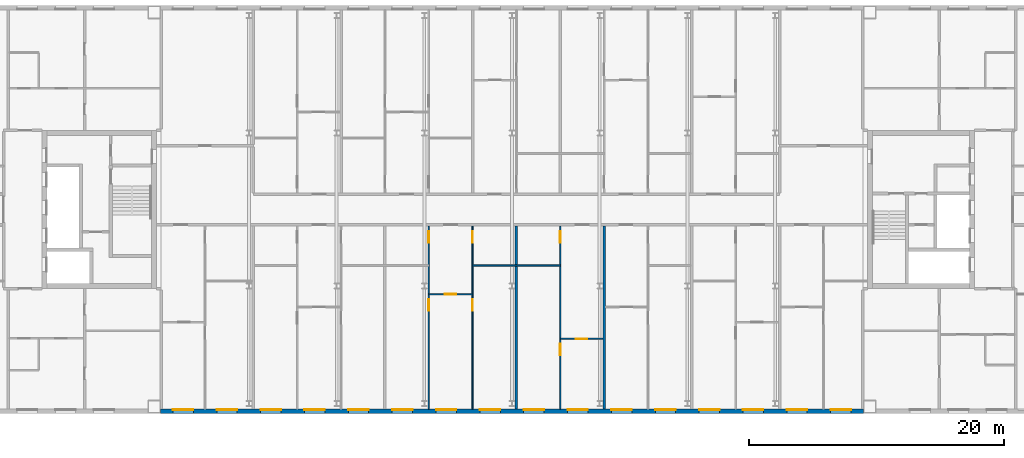
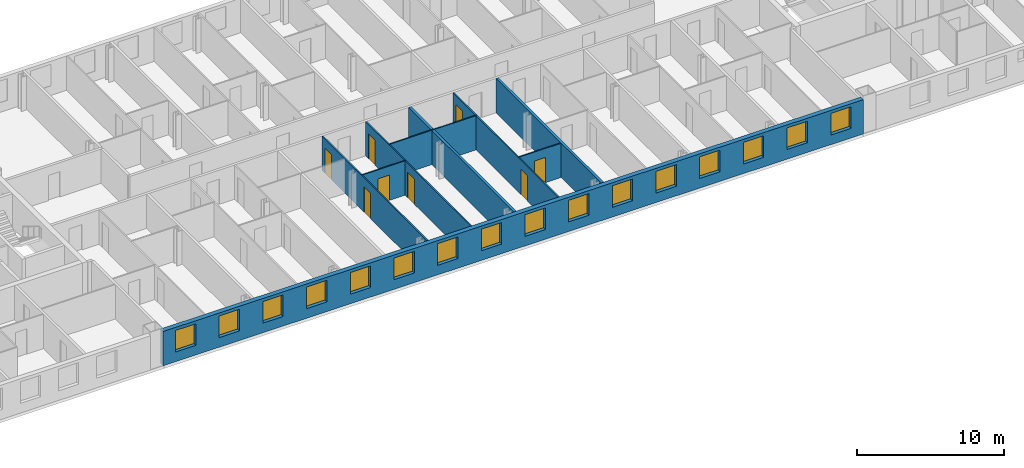
# One storey, part 10 of 19: 16 windows, 9 walls, 8 doors, 24 openings.
"""IFC4 building model written with IfcOpenShell, lengths in metres."""

from ifc_helpers import new_model, si_unit, direction, frame, frame_2d, origin, place, context, subcontext, project, spatial, rectangle, extrude, material, layer, layer_set, type_object, element, fill, save


model = new_model("IFC4")

# Units and contexts
model_context = context("Model", 3, precision=1e-05, world=origin(), true_north=direction((0.0, 1.0)))
body_context = subcontext(model_context, "Body", "Model", "MODEL_VIEW")
ifc_project = project(units=[si_unit("LENGTHUNIT", "METRE"), si_unit("AREAUNIT", "SQUARE_METRE"), si_unit("VOLUMEUNIT", "CUBIC_METRE"), si_unit("PLANEANGLEUNIT", "RADIAN"), si_unit("MASSUNIT", "GRAM", prefix="KILO")], contexts=[model_context])

# Site, building, storey
site_placement = place(None, origin())
site = spatial("IfcSite", under=ifc_project, at=site_placement, CompositionType="ELEMENT")
building_placement = place(site_placement, origin())
building = spatial("IfcBuilding", under=site, at=building_placement, Name="Tuart Gate Housing", CompositionType="ELEMENT")
storey_placement = place(building_placement, frame((0.0, 0.0, 224.5)))
storey = spatial("IfcBuildingStorey", under=building, at=storey_placement, Name="L63", CompositionType="ELEMENT", Elevation=224.5)

# Wall, openings, windows
ifc_material_1 = material(Name="Brick", Category="masonry")
ifc_layer_1 = layer(ifc_material_1, 0.360107421875)
ifc_layer_set_1 = layer_set([ifc_layer_1], Name="Brick pier and spandrel wall 360")
wall_type_1 = type_object("IfcWallType", Name="Brick pier and spandrel wall 360", PredefinedType="STANDARD", material=ifc_layer_set_1)
wall_1_placement = place(storey_placement, frame((75.949951171875, 54.179931640625, 0.0), z_axis=(0.0, 0.0, 1.0), x_axis=(1.0, 0.0, 0.0)))
wall_1 = element("IfcWall", 1, at=wall_1_placement, inside=storey, type_object=wall_type_1, Name="External wall BLK-S L63", PredefinedType="STANDARD", context=body_context, shape_type="SweptSolid", body=[
    extrude(rectangle(XDim=55.10009765625, YDim=0.360107421875, at=frame_2d((27.550048828125, 0.0))), origin(), (0.0, 0.0, 1.0), 2.85009765625),
])
opening_1_placement = place(wall_1_placement, frame((0.96875, 0.0, 0.800048828125)))
opening_1 = element("IfcOpeningElement", 2, at=opening_1_placement, cuts=wall_1, Name="Opening W1", PredefinedType="OPENING", context=body_context, shape_type="SweptSolid", body=[
    extrude(rectangle(XDim=1.60009765625, YDim=1.800048828125, at=frame_2d((0.800048828125, 0.89990234375))), frame((0.0, 0.18994140625, 0.0), z_axis=(0.0, -1.0, 0.0), x_axis=(1.0, 0.0, 0.0)), (0.0, 0.0, 1.0), 0.380126953125),
])
opening_2_placement = place(wall_1_placement, frame((4.40625, 0.0, 0.800048828125)))
opening_2 = element("IfcOpeningElement", 3, at=opening_2_placement, cuts=wall_1, Name="Opening W1", PredefinedType="OPENING", context=body_context, shape_type="SweptSolid", body=[
    extrude(rectangle(XDim=1.60009765625, YDim=1.800048828125, at=frame_2d((0.800048828125, 0.89990234375))), frame((0.0, 0.18994140625, 0.0), z_axis=(0.0, -1.0, 0.0), x_axis=(1.0, 0.0, 0.0)), (0.0, 0.0, 1.0), 0.380126953125),
])
opening_3_placement = place(wall_1_placement, frame((7.84375, 0.0, 0.800048828125)))
opening_3 = element("IfcOpeningElement", 4, at=opening_3_placement, cuts=wall_1, Name="Opening W1", PredefinedType="OPENING", context=body_context, shape_type="SweptSolid", body=[
    extrude(rectangle(XDim=1.60009765625, YDim=1.800048828125, at=frame_2d((0.800048828125, 0.89990234375))), frame((0.0, 0.18994140625, 0.0), z_axis=(0.0, -1.0, 0.0), x_axis=(1.0, 0.0, 0.0)), (0.0, 0.0, 1.0), 0.380126953125),
])
opening_4_placement = place(wall_1_placement, frame((11.28125, 0.0, 0.800048828125)))
opening_4 = element("IfcOpeningElement", 5, at=opening_4_placement, cuts=wall_1, Name="Opening W1", PredefinedType="OPENING", context=body_context, shape_type="SweptSolid", body=[
    extrude(rectangle(XDim=1.60009765625, YDim=1.800048828125, at=frame_2d((0.800048828125, 0.89990234375))), frame((0.0, 0.18994140625, 0.0), z_axis=(0.0, -1.0, 0.0), x_axis=(1.0, 0.0, 0.0)), (0.0, 0.0, 1.0), 0.380126953125),
])
opening_5_placement = place(wall_1_placement, frame((14.71875, 0.0, 0.800048828125)))
opening_5 = element("IfcOpeningElement", 6, at=opening_5_placement, cuts=wall_1, Name="Opening W1", PredefinedType="OPENING", context=body_context, shape_type="SweptSolid", body=[
    extrude(rectangle(XDim=1.60009765625, YDim=1.800048828125, at=frame_2d((0.800048828125, 0.89990234375))), frame((0.0, 0.18994140625, 0.0), z_axis=(0.0, -1.0, 0.0), x_axis=(1.0, 0.0, 0.0)), (0.0, 0.0, 1.0), 0.380126953125),
])
opening_6_placement = place(wall_1_placement, frame((18.15625, 0.0, 0.800048828125)))
opening_6 = element("IfcOpeningElement", 7, at=opening_6_placement, cuts=wall_1, Name="Opening W1", PredefinedType="OPENING", context=body_context, shape_type="SweptSolid", body=[
    extrude(rectangle(XDim=1.60009765625, YDim=1.800048828125, at=frame_2d((0.800048828125, 0.89990234375))), frame((0.0, 0.18994140625, 0.0), z_axis=(0.0, -1.0, 0.0), x_axis=(1.0, 0.0, 0.0)), (0.0, 0.0, 1.0), 0.380126953125),
])
opening_7_placement = place(wall_1_placement, frame((21.59375, 0.0, 0.800048828125)))
opening_7 = element("IfcOpeningElement", 8, at=opening_7_placement, cuts=wall_1, Name="Opening W1", PredefinedType="OPENING", context=body_context, shape_type="SweptSolid", body=[
    extrude(rectangle(XDim=1.60009765625, YDim=1.800048828125, at=frame_2d((0.800048828125, 0.89990234375))), frame((0.0, 0.18994140625, 0.0), z_axis=(0.0, -1.0, 0.0), x_axis=(1.0, 0.0, 0.0)), (0.0, 0.0, 1.0), 0.380126953125),
])
opening_8_placement = place(wall_1_placement, frame((25.03125, 0.0, 0.800048828125)))
opening_8 = element("IfcOpeningElement", 9, at=opening_8_placement, cuts=wall_1, Name="Opening W1", PredefinedType="OPENING", context=body_context, shape_type="SweptSolid", body=[
    extrude(rectangle(XDim=1.60009765625, YDim=1.800048828125, at=frame_2d((0.800048828125, 0.89990234375))), frame((0.0, 0.18994140625, 0.0), z_axis=(0.0, -1.0, 0.0), x_axis=(1.0, 0.0, 0.0)), (0.0, 0.0, 1.0), 0.380126953125),
])
opening_9_placement = place(wall_1_placement, frame((28.46875, 0.0, 0.800048828125)))
opening_9 = element("IfcOpeningElement", 10, at=opening_9_placement, cuts=wall_1, Name="Opening W1", PredefinedType="OPENING", context=body_context, shape_type="SweptSolid", body=[
    extrude(rectangle(XDim=1.60009765625, YDim=1.800048828125, at=frame_2d((0.800048828125, 0.89990234375))), frame((0.0, 0.18994140625, 0.0), z_axis=(0.0, -1.0, 0.0), x_axis=(1.0, 0.0, 0.0)), (0.0, 0.0, 1.0), 0.380126953125),
])
opening_10_placement = place(wall_1_placement, frame((31.90625, 0.0, 0.800048828125)))
opening_10 = element("IfcOpeningElement", 11, at=opening_10_placement, cuts=wall_1, Name="Opening W1", PredefinedType="OPENING", context=body_context, shape_type="SweptSolid", body=[
    extrude(rectangle(XDim=1.60009765625, YDim=1.800048828125, at=frame_2d((0.800048828125, 0.89990234375))), frame((0.0, 0.18994140625, 0.0), z_axis=(0.0, -1.0, 0.0), x_axis=(1.0, 0.0, 0.0)), (0.0, 0.0, 1.0), 0.380126953125),
])
opening_11_placement = place(wall_1_placement, frame((35.34375, 0.0, 0.800048828125)))
opening_11 = element("IfcOpeningElement", 12, at=opening_11_placement, cuts=wall_1, Name="Opening W1", PredefinedType="OPENING", context=body_context, shape_type="SweptSolid", body=[
    extrude(rectangle(XDim=1.60009765625, YDim=1.800048828125, at=frame_2d((0.800048828125, 0.89990234375))), frame((0.0, 0.18994140625, 0.0), z_axis=(0.0, -1.0, 0.0), x_axis=(1.0, 0.0, 0.0)), (0.0, 0.0, 1.0), 0.380126953125),
])
opening_12_placement = place(wall_1_placement, frame((38.78125, 0.0, 0.800048828125)))
opening_12 = element("IfcOpeningElement", 13, at=opening_12_placement, cuts=wall_1, Name="Opening W1", PredefinedType="OPENING", context=body_context, shape_type="SweptSolid", body=[
    extrude(rectangle(XDim=1.60009765625, YDim=1.800048828125, at=frame_2d((0.800048828125, 0.89990234375))), frame((0.0, 0.18994140625, 0.0), z_axis=(0.0, -1.0, 0.0), x_axis=(1.0, 0.0, 0.0)), (0.0, 0.0, 1.0), 0.380126953125),
])
opening_13_placement = place(wall_1_placement, frame((42.21875, 0.0, 0.800048828125)))
opening_13 = element("IfcOpeningElement", 14, at=opening_13_placement, cuts=wall_1, Name="Opening W1", PredefinedType="OPENING", context=body_context, shape_type="SweptSolid", body=[
    extrude(rectangle(XDim=1.60009765625, YDim=1.800048828125, at=frame_2d((0.800048828125, 0.89990234375))), frame((0.0, 0.18994140625, 0.0), z_axis=(0.0, -1.0, 0.0), x_axis=(1.0, 0.0, 0.0)), (0.0, 0.0, 1.0), 0.380126953125),
])
opening_14_placement = place(wall_1_placement, frame((45.65625, 0.0, 0.800048828125)))
opening_14 = element("IfcOpeningElement", 15, at=opening_14_placement, cuts=wall_1, Name="Opening W1", PredefinedType="OPENING", context=body_context, shape_type="SweptSolid", body=[
    extrude(rectangle(XDim=1.60009765625, YDim=1.800048828125, at=frame_2d((0.800048828125, 0.89990234375))), frame((0.0, 0.18994140625, 0.0), z_axis=(0.0, -1.0, 0.0), x_axis=(1.0, 0.0, 0.0)), (0.0, 0.0, 1.0), 0.380126953125),
])
opening_15_placement = place(wall_1_placement, frame((49.09375, 0.0, 0.800048828125)))
opening_15 = element("IfcOpeningElement", 16, at=opening_15_placement, cuts=wall_1, Name="Opening W1", PredefinedType="OPENING", context=body_context, shape_type="SweptSolid", body=[
    extrude(rectangle(XDim=1.60009765625, YDim=1.800048828125, at=frame_2d((0.800048828125, 0.89990234375))), frame((0.0, 0.18994140625, 0.0), z_axis=(0.0, -1.0, 0.0), x_axis=(1.0, 0.0, 0.0)), (0.0, 0.0, 1.0), 0.380126953125),
])
opening_16_placement = place(wall_1_placement, frame((52.53125, 0.0, 0.800048828125)))
opening_16 = element("IfcOpeningElement", 17, at=opening_16_placement, cuts=wall_1, Name="Opening W1", PredefinedType="OPENING", context=body_context, shape_type="SweptSolid", body=[
    extrude(rectangle(XDim=1.60009765625, YDim=1.800048828125, at=frame_2d((0.800048828125, 0.89990234375))), frame((0.0, 0.18994140625, 0.0), z_axis=(0.0, -1.0, 0.0), x_axis=(1.0, 0.0, 0.0)), (0.0, 0.0, 1.0), 0.380126953125),
])
ifc_material_2 = material(Name="Aluminium frame with clear glass", Category="aluminium")
window_type = type_object("IfcWindowType", Name="Punched window 1600 x 1800", PartitioningType="SINGLE_PANEL", PredefinedType="WINDOW", material=ifc_material_2)
window_1_placement = place(opening_1_placement, origin())
window_1 = element("IfcWindow", 18, at=window_1_placement, inside=storey, type_object=window_type, Name="Window W1", OverallHeight=1.800048828125, OverallWidth=1.60009765625, PartitioningType="SINGLE_PANEL", PredefinedType="WINDOW", context=body_context, shape_type="SweptSolid", body=[
    extrude(rectangle(XDim=1.60009765625, YDim=1.800048828125, at=frame_2d((0.800048828125, 0.89990234375))), frame((0.0, 0.150146484375, 0.0), z_axis=(0.0, -1.0, 0.0), x_axis=(1.0, 0.0, 0.0)), (0.0, 0.0, 1.0), 0.06005859375),
])
fill(opening_1, window_1)
window_2_placement = place(opening_2_placement, origin())
window_2 = element("IfcWindow", 19, at=window_2_placement, inside=storey, type_object=window_type, Name="Window W1", OverallHeight=1.800048828125, OverallWidth=1.60009765625, PartitioningType="SINGLE_PANEL", PredefinedType="WINDOW", context=body_context, shape_type="SweptSolid", body=[
    extrude(rectangle(XDim=1.60009765625, YDim=1.800048828125, at=frame_2d((0.800048828125, 0.89990234375))), frame((0.0, 0.150146484375, 0.0), z_axis=(0.0, -1.0, 0.0), x_axis=(1.0, 0.0, 0.0)), (0.0, 0.0, 1.0), 0.06005859375),
])
fill(opening_2, window_2)
window_3_placement = place(opening_3_placement, origin())
window_3 = element("IfcWindow", 20, at=window_3_placement, inside=storey, type_object=window_type, Name="Window W1", OverallHeight=1.800048828125, OverallWidth=1.60009765625, PartitioningType="SINGLE_PANEL", PredefinedType="WINDOW", context=body_context, shape_type="SweptSolid", body=[
    extrude(rectangle(XDim=1.60009765625, YDim=1.800048828125, at=frame_2d((0.800048828125, 0.89990234375))), frame((0.0, 0.150146484375, 0.0), z_axis=(0.0, -1.0, 0.0), x_axis=(1.0, 0.0, 0.0)), (0.0, 0.0, 1.0), 0.06005859375),
])
fill(opening_3, window_3)
window_4_placement = place(opening_4_placement, origin())
window_4 = element("IfcWindow", 21, at=window_4_placement, inside=storey, type_object=window_type, Name="Window W1", OverallHeight=1.800048828125, OverallWidth=1.60009765625, PartitioningType="SINGLE_PANEL", PredefinedType="WINDOW", context=body_context, shape_type="SweptSolid", body=[
    extrude(rectangle(XDim=1.60009765625, YDim=1.800048828125, at=frame_2d((0.800048828125, 0.89990234375))), frame((0.0, 0.150146484375, 0.0), z_axis=(0.0, -1.0, 0.0), x_axis=(1.0, 0.0, 0.0)), (0.0, 0.0, 1.0), 0.06005859375),
])
fill(opening_4, window_4)
window_5_placement = place(opening_5_placement, origin())
window_5 = element("IfcWindow", 22, at=window_5_placement, inside=storey, type_object=window_type, Name="Window W1", OverallHeight=1.800048828125, OverallWidth=1.60009765625, PartitioningType="SINGLE_PANEL", PredefinedType="WINDOW", context=body_context, shape_type="SweptSolid", body=[
    extrude(rectangle(XDim=1.60009765625, YDim=1.800048828125, at=frame_2d((0.800048828125, 0.89990234375))), frame((0.0, 0.150146484375, 0.0), z_axis=(0.0, -1.0, 0.0), x_axis=(1.0, 0.0, 0.0)), (0.0, 0.0, 1.0), 0.06005859375),
])
fill(opening_5, window_5)
window_6_placement = place(opening_6_placement, origin())
window_6 = element("IfcWindow", 23, at=window_6_placement, inside=storey, type_object=window_type, Name="Window W1", OverallHeight=1.800048828125, OverallWidth=1.60009765625, PartitioningType="SINGLE_PANEL", PredefinedType="WINDOW", context=body_context, shape_type="SweptSolid", body=[
    extrude(rectangle(XDim=1.60009765625, YDim=1.800048828125, at=frame_2d((0.800048828125, 0.89990234375))), frame((0.0, 0.150146484375, 0.0), z_axis=(0.0, -1.0, 0.0), x_axis=(1.0, 0.0, 0.0)), (0.0, 0.0, 1.0), 0.06005859375),
])
fill(opening_6, window_6)
window_7_placement = place(opening_7_placement, origin())
window_7 = element("IfcWindow", 24, at=window_7_placement, inside=storey, type_object=window_type, Name="Window W1", OverallHeight=1.800048828125, OverallWidth=1.60009765625, PartitioningType="SINGLE_PANEL", PredefinedType="WINDOW", context=body_context, shape_type="SweptSolid", body=[
    extrude(rectangle(XDim=1.60009765625, YDim=1.800048828125, at=frame_2d((0.800048828125, 0.89990234375))), frame((0.0, 0.150146484375, 0.0), z_axis=(0.0, -1.0, 0.0), x_axis=(1.0, 0.0, 0.0)), (0.0, 0.0, 1.0), 0.06005859375),
])
fill(opening_7, window_7)
window_8_placement = place(opening_8_placement, origin())
window_8 = element("IfcWindow", 25, at=window_8_placement, inside=storey, type_object=window_type, Name="Window W1", OverallHeight=1.800048828125, OverallWidth=1.60009765625, PartitioningType="SINGLE_PANEL", PredefinedType="WINDOW", context=body_context, shape_type="SweptSolid", body=[
    extrude(rectangle(XDim=1.60009765625, YDim=1.800048828125, at=frame_2d((0.800048828125, 0.89990234375))), frame((0.0, 0.150146484375, 0.0), z_axis=(0.0, -1.0, 0.0), x_axis=(1.0, 0.0, 0.0)), (0.0, 0.0, 1.0), 0.06005859375),
])
fill(opening_8, window_8)
window_9_placement = place(opening_9_placement, origin())
window_9 = element("IfcWindow", 26, at=window_9_placement, inside=storey, type_object=window_type, Name="Window W1", OverallHeight=1.800048828125, OverallWidth=1.60009765625, PartitioningType="SINGLE_PANEL", PredefinedType="WINDOW", context=body_context, shape_type="SweptSolid", body=[
    extrude(rectangle(XDim=1.60009765625, YDim=1.800048828125, at=frame_2d((0.800048828125, 0.89990234375))), frame((0.0, 0.150146484375, 0.0), z_axis=(0.0, -1.0, 0.0), x_axis=(1.0, 0.0, 0.0)), (0.0, 0.0, 1.0), 0.06005859375),
])
fill(opening_9, window_9)
window_10_placement = place(opening_10_placement, origin())
window_10 = element("IfcWindow", 27, at=window_10_placement, inside=storey, type_object=window_type, Name="Window W1", OverallHeight=1.800048828125, OverallWidth=1.60009765625, PartitioningType="SINGLE_PANEL", PredefinedType="WINDOW", context=body_context, shape_type="SweptSolid", body=[
    extrude(rectangle(XDim=1.60009765625, YDim=1.800048828125, at=frame_2d((0.800048828125, 0.89990234375))), frame((0.0, 0.150146484375, 0.0), z_axis=(0.0, -1.0, 0.0), x_axis=(1.0, 0.0, 0.0)), (0.0, 0.0, 1.0), 0.06005859375),
])
fill(opening_10, window_10)
window_11_placement = place(opening_11_placement, origin())
window_11 = element("IfcWindow", 28, at=window_11_placement, inside=storey, type_object=window_type, Name="Window W1", OverallHeight=1.800048828125, OverallWidth=1.60009765625, PartitioningType="SINGLE_PANEL", PredefinedType="WINDOW", context=body_context, shape_type="SweptSolid", body=[
    extrude(rectangle(XDim=1.60009765625, YDim=1.800048828125, at=frame_2d((0.800048828125, 0.89990234375))), frame((0.0, 0.150146484375, 0.0), z_axis=(0.0, -1.0, 0.0), x_axis=(1.0, 0.0, 0.0)), (0.0, 0.0, 1.0), 0.06005859375),
])
fill(opening_11, window_11)
window_12_placement = place(opening_12_placement, origin())
window_12 = element("IfcWindow", 29, at=window_12_placement, inside=storey, type_object=window_type, Name="Window W1", OverallHeight=1.800048828125, OverallWidth=1.60009765625, PartitioningType="SINGLE_PANEL", PredefinedType="WINDOW", context=body_context, shape_type="SweptSolid", body=[
    extrude(rectangle(XDim=1.60009765625, YDim=1.800048828125, at=frame_2d((0.800048828125, 0.89990234375))), frame((0.0, 0.150146484375, 0.0), z_axis=(0.0, -1.0, 0.0), x_axis=(1.0, 0.0, 0.0)), (0.0, 0.0, 1.0), 0.06005859375),
])
fill(opening_12, window_12)
window_13_placement = place(opening_13_placement, origin())
window_13 = element("IfcWindow", 30, at=window_13_placement, inside=storey, type_object=window_type, Name="Window W1", OverallHeight=1.800048828125, OverallWidth=1.60009765625, PartitioningType="SINGLE_PANEL", PredefinedType="WINDOW", context=body_context, shape_type="SweptSolid", body=[
    extrude(rectangle(XDim=1.60009765625, YDim=1.800048828125, at=frame_2d((0.800048828125, 0.89990234375))), frame((0.0, 0.150146484375, 0.0), z_axis=(0.0, -1.0, 0.0), x_axis=(1.0, 0.0, 0.0)), (0.0, 0.0, 1.0), 0.06005859375),
])
fill(opening_13, window_13)
window_14_placement = place(opening_14_placement, origin())
window_14 = element("IfcWindow", 31, at=window_14_placement, inside=storey, type_object=window_type, Name="Window W1", OverallHeight=1.800048828125, OverallWidth=1.60009765625, PartitioningType="SINGLE_PANEL", PredefinedType="WINDOW", context=body_context, shape_type="SweptSolid", body=[
    extrude(rectangle(XDim=1.60009765625, YDim=1.800048828125, at=frame_2d((0.800048828125, 0.89990234375))), frame((0.0, 0.150146484375, 0.0), z_axis=(0.0, -1.0, 0.0), x_axis=(1.0, 0.0, 0.0)), (0.0, 0.0, 1.0), 0.06005859375),
])
fill(opening_14, window_14)
window_15_placement = place(opening_15_placement, origin())
window_15 = element("IfcWindow", 32, at=window_15_placement, inside=storey, type_object=window_type, Name="Window W1", OverallHeight=1.800048828125, OverallWidth=1.60009765625, PartitioningType="SINGLE_PANEL", PredefinedType="WINDOW", context=body_context, shape_type="SweptSolid", body=[
    extrude(rectangle(XDim=1.60009765625, YDim=1.800048828125, at=frame_2d((0.800048828125, 0.89990234375))), frame((0.0, 0.150146484375, 0.0), z_axis=(0.0, -1.0, 0.0), x_axis=(1.0, 0.0, 0.0)), (0.0, 0.0, 1.0), 0.06005859375),
])
fill(opening_15, window_15)
window_16_placement = place(opening_16_placement, origin())
window_16 = element("IfcWindow", 33, at=window_16_placement, inside=storey, type_object=window_type, Name="Window W1", OverallHeight=1.800048828125, OverallWidth=1.60009765625, PartitioningType="SINGLE_PANEL", PredefinedType="WINDOW", context=body_context, shape_type="SweptSolid", body=[
    extrude(rectangle(XDim=1.60009765625, YDim=1.800048828125, at=frame_2d((0.800048828125, 0.89990234375))), frame((0.0, 0.150146484375, 0.0), z_axis=(0.0, -1.0, 0.0), x_axis=(1.0, 0.0, 0.0)), (0.0, 0.0, 1.0), 0.06005859375),
])
fill(opening_16, window_16)

# Wall, opening, door
ifc_material_3 = material(Name="Gypsum board on steel studs", Category="steel")
ifc_layer_2 = layer(ifc_material_3, 0.10009765625)
ifc_layer_set_2 = layer_set([ifc_layer_2], Name="Partition 100")
wall_type_2 = type_object("IfcWallType", Name="Partition 100", PredefinedType="PARTITIONING", material=ifc_layer_set_2)
wall_2_placement = place(storey_placement, frame((107.287109375, 59.860107421875, 0.0), z_axis=(0.0, 0.0, 1.0), x_axis=(1.0, 0.0, 0.0)))
wall_2 = element("IfcWall", 34, at=wall_2_placement, inside=storey, type_object=wall_type_2, Name="Partition 100", PredefinedType="PARTITIONING", context=body_context, shape_type="SweptSolid", body=[
    extrude(rectangle(XDim=3.337890625, YDim=0.10009765625, at=frame_2d((1.6689453125, 0.0))), origin(), (0.0, 0.0, 1.0), 2.85009765625),
])
opening_17_placement = place(wall_2_placement, frame((1.218994140625, 0.0, 0.0)))
opening_17 = element("IfcOpeningElement", 35, at=opening_17_placement, cuts=wall_2, Name="Opening D2390", PredefinedType="OPENING", context=body_context, shape_type="SweptSolid", body=[
    extrude(rectangle(XDim=0.89990234375, YDim=2.10009765625, at=frame_2d((0.449951171875, 1.050048828125))), frame((0.0, 0.06005859375, 0.0), z_axis=(0.0, -1.0, 0.0), x_axis=(1.0, 0.0, 0.0)), (0.0, 0.0, 1.0), 0.1201171875),
])
ifc_material_4 = material(Name="Timber door leaf in steel frame", Category="steel")
door_type_1 = type_object("IfcDoorType", Name="Internal door 900", OperationType="SINGLE_SWING_LEFT", PredefinedType="DOOR", material=ifc_material_4)
door_1_placement = place(opening_17_placement, origin())
door_1 = element("IfcDoor", 36, at=door_1_placement, inside=storey, type_object=door_type_1, Name="Internal door", OperationType="SINGLE_SWING_LEFT", OverallHeight=2.10009765625, OverallWidth=0.89990234375, PredefinedType="DOOR", context=body_context, shape_type="SweptSolid", body=[
    extrude(rectangle(XDim=0.89990234375, YDim=2.10009765625, at=frame_2d((0.449951171875, 1.050048828125))), frame((0.0, 0.02490234375, 0.0), z_axis=(0.0, -1.0, 0.0), x_axis=(1.0, 0.0, 0.0)), (0.0, 0.0, 1.0), 0.050048828125),
])
fill(opening_17, door_1)

wall_3_placement = place(storey_placement, frame((96.97509765625, 63.360107421875, 0.0), z_axis=(0.0, 0.0, 1.0), x_axis=(1.0, 0.0, 0.0)))
wall_3 = element("IfcWall", 37, at=wall_3_placement, inside=storey, type_object=wall_type_2, Name="Partition 100", PredefinedType="PARTITIONING", context=body_context, shape_type="SweptSolid", body=[
    extrude(rectangle(XDim=3.43701171875, YDim=0.10009765625, at=frame_2d((1.718505859375, 0.0))), origin(), (0.0, 0.0, 1.0), 2.85009765625),
])
opening_18_placement = place(wall_3_placement, frame((1.2685546875, 0.0, 0.0)))
opening_18 = element("IfcOpeningElement", 38, at=opening_18_placement, cuts=wall_3, Name="Opening D2366", PredefinedType="OPENING", context=body_context, shape_type="SweptSolid", body=[
    extrude(rectangle(XDim=0.89990234375, YDim=2.10009765625, at=frame_2d((0.449951171875, 1.050048828125))), frame((0.0, 0.06005859375, 0.0), z_axis=(0.0, -1.0, 0.0), x_axis=(1.0, 0.0, 0.0)), (0.0, 0.0, 1.0), 0.1201171875),
])
door_2_placement = place(opening_18_placement, origin())
door_2 = element("IfcDoor", 39, at=door_2_placement, inside=storey, type_object=door_type_1, Name="Internal door", OperationType="SINGLE_SWING_LEFT", OverallHeight=2.10009765625, OverallWidth=0.89990234375, PredefinedType="DOOR", context=body_context, shape_type="SweptSolid", body=[
    extrude(rectangle(XDim=0.89990234375, YDim=2.10009765625, at=frame_2d((0.449951171875, 1.050048828125))), frame((0.0, 0.02490234375, 0.0), z_axis=(0.0, -1.0, 0.0), x_axis=(1.0, 0.0, 0.0)), (0.0, 0.0, 1.0), 0.050048828125),
])
fill(opening_18, door_2)

# Wall
wall_4_placement = place(storey_placement, frame((100.412109375, 65.60009765625, 0.0), z_axis=(0.0, 0.0, 1.0), x_axis=(1.0, 0.0, 0.0)))
element("IfcWall", 40, at=wall_4_placement, inside=storey, type_object=wall_type_2, Name="Partition 100", PredefinedType="PARTITIONING", context=body_context, shape_type="SweptSolid", body=[
    extrude(rectangle(XDim=6.875, YDim=0.10009765625, at=frame_2d((3.4375, 0.0))), origin(), (0.0, 0.0, 1.0), 2.85009765625),
])

# Wall, openings, doors
wall_5_placement = place(storey_placement, frame((96.97509765625, 54.360107421875, 0.0), z_axis=(0.0, 0.0, 1.0), x_axis=(0.0, 1.0, 0.0)))
wall_5 = element("IfcWall", 41, at=wall_5_placement, inside=storey, type_object=wall_type_2, Name="Partition 100", PredefinedType="PARTITIONING", context=body_context, shape_type="SweptSolid", body=[
    extrude(rectangle(XDim=14.33984375, YDim=0.10009765625, at=frame_2d((7.169921875, 0.0))), origin(), (0.0, 0.0, 1.0), 2.85009765625),
])
opening_19_placement = place(wall_5_placement, frame((7.699951171875, 0.0, 0.0)))
opening_19 = element("IfcOpeningElement", 42, at=opening_19_placement, cuts=wall_5, Name="Opening D2377", PredefinedType="OPENING", context=body_context, shape_type="SweptSolid", body=[
    extrude(rectangle(XDim=0.89990234375, YDim=2.10009765625, at=frame_2d((0.449951171875, 1.050048828125))), frame((0.0, 0.06005859375, 0.0), z_axis=(0.0, -1.0, 0.0), x_axis=(1.0, 0.0, 0.0)), (0.0, 0.0, 1.0), 0.1201171875),
])
opening_20_placement = place(wall_5_placement, frame((13.0400390625, 0.0, 0.0)))
opening_20 = element("IfcOpeningElement", 43, at=opening_20_placement, cuts=wall_5, Name="Opening D2376", PredefinedType="OPENING", context=body_context, shape_type="SweptSolid", body=[
    extrude(rectangle(XDim=0.89990234375, YDim=2.10009765625, at=frame_2d((0.449951171875, 1.050048828125))), frame((0.0, 0.06005859375, 0.0), z_axis=(0.0, -1.0, 0.0), x_axis=(1.0, 0.0, 0.0)), (0.0, 0.0, 1.0), 0.1201171875),
])
ifc_material_5 = material(Name="Timber door leaf in steel frame", Category="steel")
door_type_2 = type_object("IfcDoorType", Name="Bathroom door 900 RH", OperationType="SINGLE_SWING_RIGHT", PredefinedType="DOOR", material=ifc_material_5)
door_3_placement = place(opening_20_placement, origin())
door_3 = element("IfcDoor", 44, at=door_3_placement, inside=storey, type_object=door_type_2, Name="Bathroom door", OperationType="SINGLE_SWING_RIGHT", OverallHeight=2.10009765625, OverallWidth=0.89990234375, PredefinedType="DOOR", context=body_context, shape_type="SweptSolid", body=[
    extrude(rectangle(XDim=0.89990234375, YDim=2.10009765625, at=frame_2d((0.449951171875, 1.050048828125))), frame((0.0, 0.02490234375, 0.0), z_axis=(0.0, -1.0, 0.0), x_axis=(1.0, 0.0, 0.0)), (0.0, 0.0, 1.0), 0.050048828125),
])
fill(opening_20, door_3)
ifc_material_6 = material(Name="Timber door leaf in steel frame", Category="steel")
door_type_3 = type_object("IfcDoorType", Name="Internal door 900 RH", OperationType="SINGLE_SWING_RIGHT", PredefinedType="DOOR", material=ifc_material_6)
door_4_placement = place(opening_19_placement, origin())
door_4 = element("IfcDoor", 45, at=door_4_placement, inside=storey, type_object=door_type_3, Name="Internal door", OperationType="SINGLE_SWING_RIGHT", OverallHeight=2.10009765625, OverallWidth=0.89990234375, PredefinedType="DOOR", context=body_context, shape_type="SweptSolid", body=[
    extrude(rectangle(XDim=0.89990234375, YDim=2.10009765625, at=frame_2d((0.449951171875, 1.050048828125))), frame((0.0, 0.02490234375, 0.0), z_axis=(0.0, -1.0, 0.0), x_axis=(1.0, 0.0, 0.0)), (0.0, 0.0, 1.0), 0.050048828125),
])
fill(opening_19, door_4)

wall_6_placement = place(storey_placement, frame((100.412109375, 54.360107421875, 0.0), z_axis=(0.0, 0.0, 1.0), x_axis=(0.0, 1.0, 0.0)))
wall_6 = element("IfcWall", 46, at=wall_6_placement, inside=storey, type_object=wall_type_2, Name="Partition 100", PredefinedType="PARTITIONING", context=body_context, shape_type="SweptSolid", body=[
    extrude(rectangle(XDim=14.33984375, YDim=0.10009765625, at=frame_2d((7.169921875, 0.0))), origin(), (0.0, 0.0, 1.0), 2.85009765625),
])
opening_21_placement = place(wall_6_placement, frame((7.699951171875, 0.0, 0.0)))
opening_21 = element("IfcOpeningElement", 47, at=opening_21_placement, cuts=wall_6, Name="Opening D2379", PredefinedType="OPENING", context=body_context, shape_type="SweptSolid", body=[
    extrude(rectangle(XDim=0.89990234375, YDim=2.10009765625, at=frame_2d((0.449951171875, 1.050048828125))), frame((0.0, 0.06005859375, 0.0), z_axis=(0.0, -1.0, 0.0), x_axis=(1.0, 0.0, 0.0)), (0.0, 0.0, 1.0), 0.1201171875),
])
opening_22_placement = place(wall_6_placement, frame((13.0400390625, 0.0, 0.0)))
opening_22 = element("IfcOpeningElement", 48, at=opening_22_placement, cuts=wall_6, Name="Opening D2378", PredefinedType="OPENING", context=body_context, shape_type="SweptSolid", body=[
    extrude(rectangle(XDim=0.89990234375, YDim=2.10009765625, at=frame_2d((0.449951171875, 1.050048828125))), frame((0.0, 0.06005859375, 0.0), z_axis=(0.0, -1.0, 0.0), x_axis=(1.0, 0.0, 0.0)), (0.0, 0.0, 1.0), 0.1201171875),
])
ifc_material_7 = material(Name="Timber door leaf in steel frame", Category="steel")
door_type_4 = type_object("IfcDoorType", Name="Bathroom door 900", OperationType="SINGLE_SWING_LEFT", PredefinedType="DOOR", material=ifc_material_7)
door_5_placement = place(opening_22_placement, frame((0.89990234375, 0.0, 0.0), z_axis=(0.0, 0.0, 1.0), x_axis=(-1.0, 0.0, 0.0)))
door_5 = element("IfcDoor", 49, at=door_5_placement, inside=storey, type_object=door_type_4, Name="Bathroom door", OperationType="SINGLE_SWING_LEFT", OverallHeight=2.10009765625, OverallWidth=0.89990234375, PredefinedType="DOOR", context=body_context, shape_type="SweptSolid", body=[
    extrude(rectangle(XDim=0.89990234375, YDim=2.10009765625, at=frame_2d((0.449951171875, 1.050048828125))), frame((0.0, 0.025146484375, 0.0), z_axis=(0.0, -1.0, 0.0), x_axis=(1.0, 0.0, 0.0)), (0.0, 0.0, 1.0), 0.050048828125),
])
fill(opening_22, door_5)
door_6_placement = place(opening_21_placement, frame((0.89990234375, 0.0, 0.0), z_axis=(0.0, 0.0, 1.0), x_axis=(-1.0, 0.0, 0.0)))
door_6 = element("IfcDoor", 50, at=door_6_placement, inside=storey, type_object=door_type_1, Name="Internal door", OperationType="SINGLE_SWING_LEFT", OverallHeight=2.10009765625, OverallWidth=0.89990234375, PredefinedType="DOOR", context=body_context, shape_type="SweptSolid", body=[
    extrude(rectangle(XDim=0.89990234375, YDim=2.10009765625, at=frame_2d((0.449951171875, 1.050048828125))), frame((0.0, 0.025146484375, 0.0), z_axis=(0.0, -1.0, 0.0), x_axis=(1.0, 0.0, 0.0)), (0.0, 0.0, 1.0), 0.050048828125),
])
fill(opening_21, door_6)

wall_7_placement = place(storey_placement, frame((107.287109375, 54.360107421875, 0.0), z_axis=(0.0, 0.0, 1.0), x_axis=(0.0, 1.0, 0.0)))
wall_7 = element("IfcWall", 51, at=wall_7_placement, inside=storey, type_object=wall_type_2, Name="Partition 100", PredefinedType="PARTITIONING", context=body_context, shape_type="SweptSolid", body=[
    extrude(rectangle(XDim=14.33984375, YDim=0.10009765625, at=frame_2d((7.169921875, 0.0))), origin(), (0.0, 0.0, 1.0), 2.85009765625),
])
opening_23_placement = place(wall_7_placement, frame((4.199951171875, 0.0, 0.0)))
opening_23 = element("IfcOpeningElement", 52, at=opening_23_placement, cuts=wall_7, Name="Opening D2381", PredefinedType="OPENING", context=body_context, shape_type="SweptSolid", body=[
    extrude(rectangle(XDim=0.89990234375, YDim=2.10009765625, at=frame_2d((0.449951171875, 1.050048828125))), frame((0.0, 0.06005859375, 0.0), z_axis=(0.0, -1.0, 0.0), x_axis=(1.0, 0.0, 0.0)), (0.0, 0.0, 1.0), 0.1201171875),
])
opening_24_placement = place(wall_7_placement, frame((13.0400390625, 0.0, 0.0)))
opening_24 = element("IfcOpeningElement", 53, at=opening_24_placement, cuts=wall_7, Name="Opening D2380", PredefinedType="OPENING", context=body_context, shape_type="SweptSolid", body=[
    extrude(rectangle(XDim=0.89990234375, YDim=2.10009765625, at=frame_2d((0.449951171875, 1.050048828125))), frame((0.0, 0.06005859375, 0.0), z_axis=(0.0, -1.0, 0.0), x_axis=(1.0, 0.0, 0.0)), (0.0, 0.0, 1.0), 0.1201171875),
])
door_7_placement = place(opening_24_placement, origin())
door_7 = element("IfcDoor", 54, at=door_7_placement, inside=storey, type_object=door_type_2, Name="Bathroom door", OperationType="SINGLE_SWING_RIGHT", OverallHeight=2.10009765625, OverallWidth=0.89990234375, PredefinedType="DOOR", context=body_context, shape_type="SweptSolid", body=[
    extrude(rectangle(XDim=0.89990234375, YDim=2.10009765625, at=frame_2d((0.449951171875, 1.050048828125))), frame((0.0, 0.02490234375, 0.0), z_axis=(0.0, -1.0, 0.0), x_axis=(1.0, 0.0, 0.0)), (0.0, 0.0, 1.0), 0.050048828125),
])
fill(opening_24, door_7)
door_8_placement = place(opening_23_placement, origin())
door_8 = element("IfcDoor", 55, at=door_8_placement, inside=storey, type_object=door_type_1, Name="Internal door", OperationType="SINGLE_SWING_LEFT", OverallHeight=2.10009765625, OverallWidth=0.89990234375, PredefinedType="DOOR", context=body_context, shape_type="SweptSolid", body=[
    extrude(rectangle(XDim=0.89990234375, YDim=2.10009765625, at=frame_2d((0.449951171875, 1.050048828125))), frame((0.0, 0.02490234375, 0.0), z_axis=(0.0, -1.0, 0.0), x_axis=(1.0, 0.0, 0.0)), (0.0, 0.0, 1.0), 0.050048828125),
])
fill(opening_23, door_8)

# Walls
ifc_material_8 = material(Name="Concrete masonry 15 MPa", Category="masonry")
ifc_layer_3 = layer(ifc_material_8, 0.199951171875)
ifc_layer_set_3 = layer_set([ifc_layer_3], Name="Party wall masonry 200")
wall_type_3 = type_object("IfcWallType", Name="Party wall masonry 200", PredefinedType="PARTITIONING", material=ifc_layer_set_3)
for number, where, z_axis, x_axis, name in (
    (56, (103.85009765625, 54.360107421875, 0.0), (0.0, 0.0, 1.0), (0.0, 1.0, 0.0), "Party wall masonry 200"),
    (57, (110.72509765625, 54.360107421875, 0.0), (0.0, 0.0, 1.0), (0.0, 1.0, 0.0), "Party wall masonry 200"),
):
    element("IfcWall", number, at=place(storey_placement, frame(where, z_axis=z_axis, x_axis=x_axis)), inside=storey, type_object=wall_type_3, Name=name, PredefinedType="PARTITIONING", context=body_context, shape_type="SweptSolid", body=[
        extrude(rectangle(XDim=14.33984375, YDim=0.199951171875, at=frame_2d((7.169921875, 0.0))), origin(), (0.0, 0.0, 1.0), 2.85009765625),
    ])

save(model, "model.ifc")
